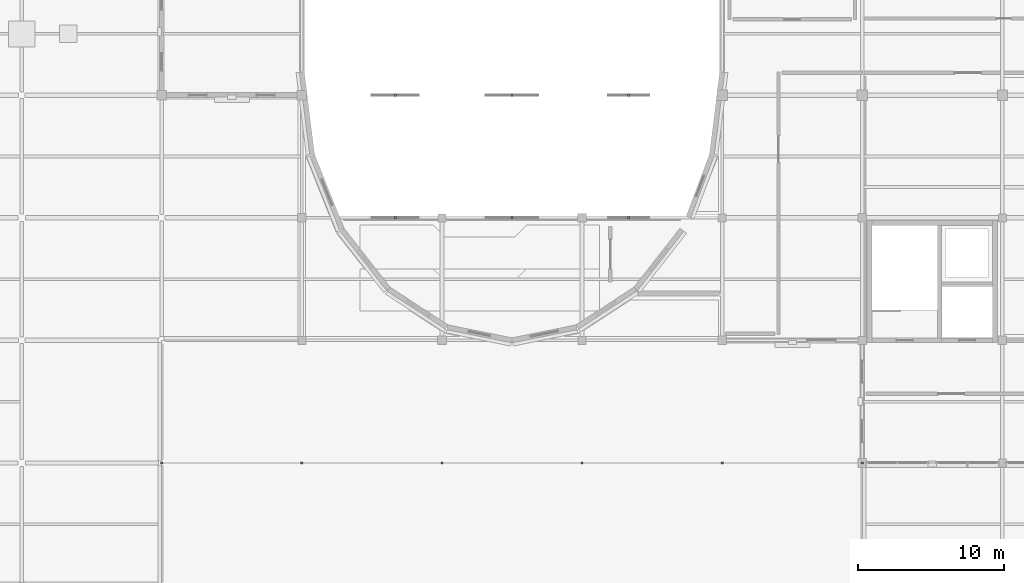
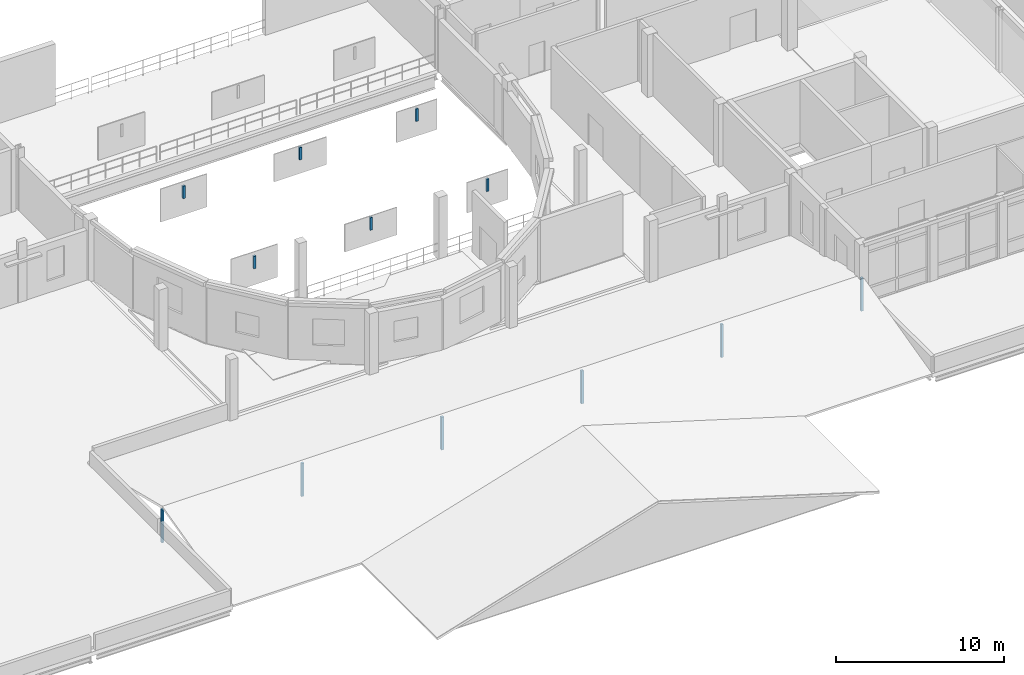
# One storey, part 45 of 52: 12 discrete accessories.
"""IFC4 building model written with IfcOpenShell, lengths in metres."""

from ifc_helpers import new_model, si_unit, direction, frame, origin, origin_2d, place, context, subcontext, project, spatial, rectangle, extrude, material, layer, layer_set, type_object, element, save


model = new_model("IFC4")

# Units and contexts
model_context = context("Model", 3, precision=1e-05, world=origin(), true_north=direction((0.0, 1.0)))
body_context = subcontext(model_context, "Body", "Model", "MODEL_VIEW")
ifc_project = project(units=[si_unit("LENGTHUNIT", "METRE"), si_unit("AREAUNIT", "SQUARE_METRE"), si_unit("VOLUMEUNIT", "CUBIC_METRE"), si_unit("PLANEANGLEUNIT", "RADIAN"), si_unit("MASSUNIT", "GRAM", prefix="KILO")], contexts=[model_context])

# Site, building, storey
site_placement = place(None, origin())
site = spatial("IfcSite", under=ifc_project, at=site_placement, CompositionType="ELEMENT")
building_placement = place(site_placement, origin())
building = spatial("IfcBuilding", under=site, at=building_placement, Name="Lornevale Opera House", CompositionType="ELEMENT")
storey_placement = place(building_placement, frame((0.0, 0.0, 15.0)))
storey = spatial("IfcBuildingStorey", under=building, at=storey_placement, Name="L04", CompositionType="ELEMENT", Elevation=15.0)

# Discrete accessories
ifc_material = material(Name="Structural Steel CSA G40.21 Grade 350W (350 MPa)", Category="steel")
ifc_layer = layer(ifc_material, 0.89990234375)
ifc_layer_set = layer_set([ifc_layer], Name="Structural Steel CSA G40.21 Grade 350W (350 MPa)")
discrete_accessory_type = type_object("IfcDiscreteAccessoryType", Name="Acoustic Hanger Bracket", PredefinedType="BRACKET", material=ifc_layer_set)
for number, where, z_axis, x_axis, name in (
    (1, (73.60009765625, 42.0, 3.60009765625), (0.0, 0.0, 1.0), (1.0, 0.0, 0.0), "Acoustic Hanger Bracket AC-001"),
    (2, (81.60009765625, 42.0, 3.60009765625), (0.0, 0.0, 1.0), (1.0, 0.0, 0.0), "Acoustic Hanger Bracket AC-002"),
    (3, (89.60009765625, 42.0, 3.60009765625), (0.0, 0.0, 1.0), (1.0, 0.0, 0.0), "Acoustic Hanger Bracket AC-003"),
    (4, (73.60009765625, 50.39990234375, 3.60009765625), (0.0, 0.0, 1.0), (1.0, 0.0, 0.0), "Acoustic Hanger Bracket AC-004"),
    (5, (81.60009765625, 50.39990234375, 3.60009765625), (0.0, 0.0, 1.0), (1.0, 0.0, 0.0), "Acoustic Hanger Bracket AC-005"),
    (6, (89.60009765625, 50.39990234375, 3.60009765625), (0.0, 0.0, 1.0), (1.0, 0.0, 0.0), "Acoustic Hanger Bracket AC-006"),
):
    element("IfcDiscreteAccessory", number, at=place(storey_placement, frame(where, z_axis=z_axis, x_axis=x_axis)), inside=storey, type_object=discrete_accessory_type, Name=name, PredefinedType="BRACKET", context=body_context, shape_type="SweptSolid", body=[
        extrude(rectangle(XDim=0.159912109375, YDim=0.159912109375, at=origin_2d()), origin(), (0.0, 0.0, 1.0), 0.89990234375),
    ])
for number, where, z_axis, x_axis, name in (
    (7, (57.60009765625, 25.199951171875, -0.5), (0.0, 0.0, 1.0), (1.0, 0.0, 0.0), "Skylight Lantern Ridge Bracket AC-015"),
    (8, (67.199951171875, 25.199951171875, -0.5), (0.0, 0.0, 1.0), (1.0, 0.0, 0.0), "Skylight Lantern Ridge Bracket AC-016"),
    (9, (76.800048828125, 25.199951171875, -0.5), (0.0, 0.0, 1.0), (1.0, 0.0, 0.0), "Skylight Lantern Ridge Bracket AC-017"),
    (10, (86.39990234375, 25.199951171875, -0.5), (0.0, 0.0, 1.0), (1.0, 0.0, 0.0), "Skylight Lantern Ridge Bracket AC-018"),
    (11, (96.0, 25.199951171875, -0.5), (0.0, 0.0, 1.0), (1.0, 0.0, 0.0), "Skylight Lantern Ridge Bracket AC-019"),
    (12, (105.60009765625, 25.199951171875, -0.5), (0.0, 0.0, 1.0), (1.0, 0.0, 0.0), "Skylight Lantern Ridge Bracket AC-020"),
):
    element("IfcDiscreteAccessory", number, at=place(storey_placement, frame(where, z_axis=z_axis, x_axis=x_axis)), inside=storey, type_object=discrete_accessory_type, Name=name, PredefinedType="BRACKET", context=body_context, shape_type="SweptSolid", body=[
        extrude(rectangle(XDim=0.159912109375, YDim=0.159912109375, at=origin_2d()), origin(), (0.0, 0.0, 1.0), 2.394287109375),
    ])

save(model, "model.ifc")
